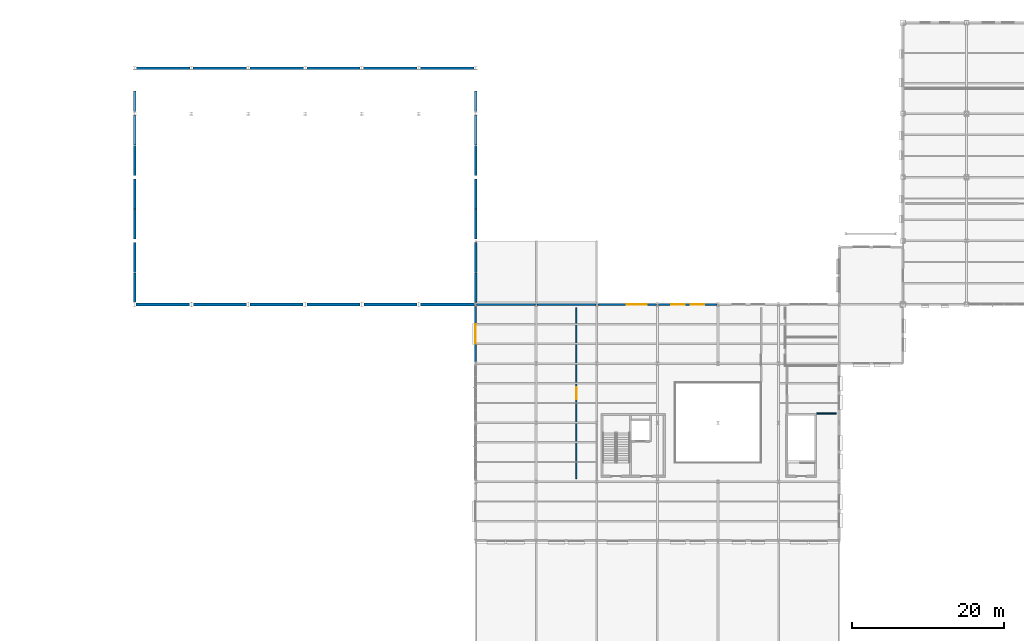
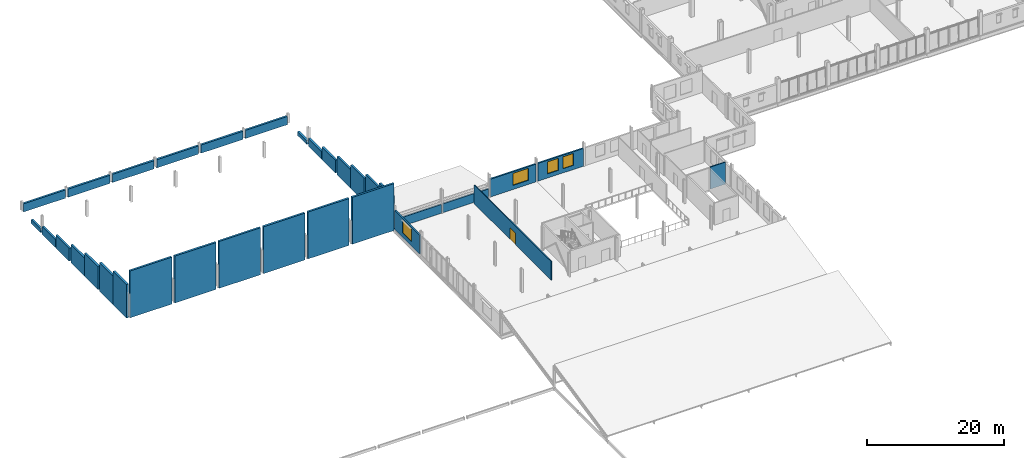
# One storey, part 36 of 45: 33 walls, 4 windows, 1 door, 5 openings.
"""IFC4 building model written with IfcOpenShell, lengths in metres."""

from ifc_helpers import new_model, si_unit, direction, frame, frame_2d, origin, place, context, subcontext, project, spatial, rectangle, extrude, material, layer, layer_set, type_object, element, fill, save


model = new_model("IFC4")

# Units and contexts
model_context = context("Model", 3, precision=1e-05, world=origin(), true_north=direction((0.0, 1.0)))
body_context = subcontext(model_context, "Body", "Model", "MODEL_VIEW")
ifc_project = project(units=[si_unit("LENGTHUNIT", "METRE"), si_unit("AREAUNIT", "SQUARE_METRE"), si_unit("VOLUMEUNIT", "CUBIC_METRE"), si_unit("PLANEANGLEUNIT", "RADIAN"), si_unit("MASSUNIT", "GRAM", prefix="KILO")], contexts=[model_context])

# Site, building, storey
site_placement = place(None, origin())
site = spatial("IfcSite", under=ifc_project, at=site_placement, CompositionType="ELEMENT")
building_placement = place(site_placement, origin())
building = spatial("IfcBuilding", under=site, at=building_placement, Name="Yukiwa Park Conservatory and Herbarium", CompositionType="ELEMENT")
storey_placement = place(building_placement, frame((0.0, 0.0, 9.0)))
storey = spatial("IfcBuildingStorey", under=building, at=storey_placement, Name="L02", CompositionType="ELEMENT", Elevation=9.0)

# Walls
ifc_material_1 = material(Name="Pale Granite Cladding", Category="masonry")
ifc_layer_1 = layer(ifc_material_1, 0.340087890625)
ifc_layer_set_1 = layer_set([ifc_layer_1], Name="Pale Granite Cladding")
wall_type_1 = type_object("IfcWallType", Name="WL-EXT-AUD-340", PredefinedType="SOLIDWALL", material=ifc_layer_set_1)
wall_1_placement = place(storey_placement, frame((15.199951171875, 78.0, -0.2451171875), z_axis=(0.0, 0.0, 1.0), x_axis=(1.0, 0.0, 0.0)))
element("IfcWall", 1, at=wall_1_placement, inside=storey, type_object=wall_type_1, Name="L02 Auditorium south clerestory wall 1", PredefinedType="SOLIDWALL", context=body_context, shape_type="SweptSolid", body=[
    extrude(rectangle(XDim=7.0400390625, YDim=0.340087890625, at=frame_2d((3.52001953125, 0.0))), origin(), (0.0, 0.0, 1.0), 8.382080078125),
])
wall_2_placement = place(storey_placement, frame((22.280029296875, 109.199951171875, -0.2451171875), z_axis=(0.0, 0.0, 1.0), x_axis=(-1.0, 0.0, 0.0)))
element("IfcWall", 2, at=wall_2_placement, inside=storey, type_object=wall_type_1, Name="L02 Auditorium north clerestory wall 2", PredefinedType="SOLIDWALL", context=body_context, shape_type="SweptSolid", body=[
    extrude(rectangle(XDim=7.06005859375, YDim=0.340087890625, at=frame_2d((3.530029296875, 0.0))), origin(), (0.0, 0.0, 1.0), 1.465087890625),
])
wall_3_placement = place(storey_placement, frame((22.760009765625, 78.0, -0.2451171875), z_axis=(0.0, 0.0, 1.0), x_axis=(1.0, 0.0, 0.0)))
element("IfcWall", 3, at=wall_3_placement, inside=storey, type_object=wall_type_1, Name="L02 Auditorium south clerestory wall 3", PredefinedType="SOLIDWALL", context=body_context, shape_type="SweptSolid", body=[
    extrude(rectangle(XDim=6.97998046875, YDim=0.340087890625, at=frame_2d((3.489990234375, 0.0))), origin(), (0.0, 0.0, 1.0), 8.382080078125),
])
wall_4_placement = place(storey_placement, frame((29.780029296875, 109.199951171875, -0.2451171875), z_axis=(0.0, 0.0, 1.0), x_axis=(-1.0, 0.0, 0.0)))
element("IfcWall", 4, at=wall_4_placement, inside=storey, type_object=wall_type_1, Name="L02 Auditorium north clerestory wall 4", PredefinedType="SOLIDWALL", context=body_context, shape_type="SweptSolid", body=[
    extrude(rectangle(XDim=7.06005859375, YDim=0.340087890625, at=frame_2d((3.530029296875, 0.0))), origin(), (0.0, 0.0, 1.0), 1.465087890625),
])
wall_5_placement = place(storey_placement, frame((30.260009765625, 78.0, -0.2451171875), z_axis=(0.0, 0.0, 1.0), x_axis=(1.0, 0.0, 0.0)))
element("IfcWall", 5, at=wall_5_placement, inside=storey, type_object=wall_type_1, Name="L02 Auditorium south clerestory wall 5", PredefinedType="SOLIDWALL", context=body_context, shape_type="SweptSolid", body=[
    extrude(rectangle(XDim=6.97998046875, YDim=0.340087890625, at=frame_2d((3.489990234375, 0.0))), origin(), (0.0, 0.0, 1.0), 8.382080078125),
])
wall_6_placement = place(storey_placement, frame((37.280029296875, 109.199951171875, -0.2451171875), z_axis=(0.0, 0.0, 1.0), x_axis=(-1.0, 0.0, 0.0)))
element("IfcWall", 6, at=wall_6_placement, inside=storey, type_object=wall_type_1, Name="L02 Auditorium north clerestory wall 6", PredefinedType="SOLIDWALL", context=body_context, shape_type="SweptSolid", body=[
    extrude(rectangle(XDim=7.06005859375, YDim=0.340087890625, at=frame_2d((3.530029296875, 0.0))), origin(), (0.0, 0.0, 1.0), 1.465087890625),
])
wall_7_placement = place(storey_placement, frame((37.760009765625, 78.0, -0.2451171875), z_axis=(0.0, 0.0, 1.0), x_axis=(1.0, 0.0, 0.0)))
element("IfcWall", 7, at=wall_7_placement, inside=storey, type_object=wall_type_1, Name="L02 Auditorium south clerestory wall 7", PredefinedType="SOLIDWALL", context=body_context, shape_type="SweptSolid", body=[
    extrude(rectangle(XDim=6.97998046875, YDim=0.340087890625, at=frame_2d((3.489990234375, 0.0))), origin(), (0.0, 0.0, 1.0), 8.382080078125),
])
wall_8_placement = place(storey_placement, frame((44.780029296875, 109.199951171875, -0.2451171875), z_axis=(0.0, 0.0, 1.0), x_axis=(-1.0, 0.0, 0.0)))
element("IfcWall", 8, at=wall_8_placement, inside=storey, type_object=wall_type_1, Name="L02 Auditorium north clerestory wall 8", PredefinedType="SOLIDWALL", context=body_context, shape_type="SweptSolid", body=[
    extrude(rectangle(XDim=7.06005859375, YDim=0.340087890625, at=frame_2d((3.530029296875, 0.0))), origin(), (0.0, 0.0, 1.0), 1.465087890625),
])
wall_9_placement = place(storey_placement, frame((45.260009765625, 78.0, -0.2451171875), z_axis=(0.0, 0.0, 1.0), x_axis=(1.0, 0.0, 0.0)))
element("IfcWall", 9, at=wall_9_placement, inside=storey, type_object=wall_type_1, Name="L02 Auditorium south clerestory wall 9", PredefinedType="SOLIDWALL", context=body_context, shape_type="SweptSolid", body=[
    extrude(rectangle(XDim=6.97998046875, YDim=0.340087890625, at=frame_2d((3.489990234375, 0.0))), origin(), (0.0, 0.0, 1.0), 8.382080078125),
])
wall_10_placement = place(storey_placement, frame((52.280029296875, 109.199951171875, -0.2451171875), z_axis=(0.0, 0.0, 1.0), x_axis=(-1.0, 0.0, 0.0)))
element("IfcWall", 10, at=wall_10_placement, inside=storey, type_object=wall_type_1, Name="L02 Auditorium north clerestory wall 10", PredefinedType="SOLIDWALL", context=body_context, shape_type="SweptSolid", body=[
    extrude(rectangle(XDim=7.06005859375, YDim=0.340087890625, at=frame_2d((3.530029296875, 0.0))), origin(), (0.0, 0.0, 1.0), 1.465087890625),
])
wall_11_placement = place(storey_placement, frame((52.760009765625, 78.0, -0.2451171875), z_axis=(0.0, 0.0, 1.0), x_axis=(1.0, 0.0, 0.0)))
element("IfcWall", 11, at=wall_11_placement, inside=storey, type_object=wall_type_1, Name="L02 Auditorium south clerestory wall 11", PredefinedType="SOLIDWALL", context=body_context, shape_type="SweptSolid", body=[
    extrude(rectangle(XDim=7.080078125, YDim=0.340087890625, at=frame_2d((3.5400390625, 0.0))), origin(), (0.0, 0.0, 1.0), 8.382080078125),
])
wall_12_placement = place(storey_placement, frame((59.780029296875, 109.199951171875, -0.2451171875), z_axis=(0.0, 0.0, 1.0), x_axis=(-1.0, 0.0, 0.0)))
element("IfcWall", 12, at=wall_12_placement, inside=storey, type_object=wall_type_1, Name="L02 Auditorium north clerestory wall 12", PredefinedType="SOLIDWALL", context=body_context, shape_type="SweptSolid", body=[
    extrude(rectangle(XDim=7.06005859375, YDim=0.340087890625, at=frame_2d((3.530029296875, 0.0))), origin(), (0.0, 0.0, 1.0), 1.465087890625),
])
wall_13_placement = place(storey_placement, frame((15.0, 78.239990234375, -0.419921875), z_axis=(0.0, 0.0, 1.0), x_axis=(0.0, 1.0, 0.0)))
element("IfcWall", 13, at=wall_13_placement, inside=storey, type_object=wall_type_1, Name="L02 Auditorium W gable clerestory wall 13", PredefinedType="SOLIDWALL", context=body_context, shape_type="SweptSolid", body=[
    extrude(rectangle(XDim=3.93994140625, YDim=0.340087890625, at=frame_2d((1.969970703125, 0.0))), origin(), (0.0, 0.0, 1.0), 6.010009765625),
])
wall_14_placement = place(storey_placement, frame((15.0, 82.219970703125, -0.419921875), z_axis=(0.0, 0.0, 1.0), x_axis=(0.0, 1.0, 0.0)))
element("IfcWall", 14, at=wall_14_placement, inside=storey, type_object=wall_type_1, Name="L02 Auditorium W gable clerestory wall 14", PredefinedType="SOLIDWALL", context=body_context, shape_type="SweptSolid", body=[
    extrude(rectangle(XDim=3.93994140625, YDim=0.340087890625, at=frame_2d((1.969970703125, 0.0))), origin(), (0.0, 0.0, 1.0), 5.127685546875),
])
wall_15_placement = place(storey_placement, frame((15.0, 86.639892578125, -0.419921875), z_axis=(0.0, 0.0, 1.0), x_axis=(0.0, 1.0, 0.0)))
element("IfcWall", 15, at=wall_15_placement, inside=storey, type_object=wall_type_1, Name="L02 Auditorium W gable clerestory wall 15", PredefinedType="SOLIDWALL", context=body_context, shape_type="SweptSolid", body=[
    extrude(rectangle(XDim=3.940185546875, YDim=0.340087890625, at=frame_2d((1.97021484375, 0.0))), origin(), (0.0, 0.0, 1.0), 4.14794921875),
])
wall_16_placement = place(storey_placement, frame((15.0, 90.6201171875, -0.419921875), z_axis=(0.0, 0.0, 1.0), x_axis=(0.0, 1.0, 0.0)))
element("IfcWall", 16, at=wall_16_placement, inside=storey, type_object=wall_type_1, Name="L02 Auditorium W gable clerestory wall 16", PredefinedType="SOLIDWALL", context=body_context, shape_type="SweptSolid", body=[
    extrude(rectangle(XDim=3.93994140625, YDim=0.340087890625, at=frame_2d((1.969970703125, 0.0))), origin(), (0.0, 0.0, 1.0), 3.265625),
])
wall_17_placement = place(storey_placement, frame((15.0, 95.0400390625, -0.419921875), z_axis=(0.0, 0.0, 1.0), x_axis=(0.0, 1.0, 0.0)))
element("IfcWall", 17, at=wall_17_placement, inside=storey, type_object=wall_type_1, Name="L02 Auditorium W gable clerestory wall 17", PredefinedType="SOLIDWALL", context=body_context, shape_type="SweptSolid", body=[
    extrude(rectangle(XDim=3.93994140625, YDim=0.340087890625, at=frame_2d((1.969970703125, 0.0))), origin(), (0.0, 0.0, 1.0), 2.28564453125),
])
wall_18_placement = place(storey_placement, frame((15.0, 99.02001953125, -0.419921875), z_axis=(0.0, 0.0, 1.0), x_axis=(0.0, 1.0, 0.0)))
element("IfcWall", 18, at=wall_18_placement, inside=storey, type_object=wall_type_1, Name="L02 Auditorium W gable clerestory wall 18", PredefinedType="SOLIDWALL", context=body_context, shape_type="SweptSolid", body=[
    extrude(rectangle(XDim=3.93994140625, YDim=0.340087890625, at=frame_2d((1.969970703125, 0.0))), origin(), (0.0, 0.0, 1.0), 1.4033203125),
])
wall_19_placement = place(storey_placement, frame((15.0, 103.43994140625, -0.419921875), z_axis=(0.0, 0.0, 1.0), x_axis=(0.0, 1.0, 0.0)))
element("IfcWall", 19, at=wall_19_placement, inside=storey, type_object=wall_type_1, Name="L02 Auditorium W gable clerestory wall 19", PredefinedType="SOLIDWALL", context=body_context, shape_type="SweptSolid", body=[
    extrude(rectangle(XDim=2.739990234375, YDim=0.340087890625, at=frame_2d((1.3701171875, 0.0))), origin(), (0.0, 0.0, 1.0), 0.689453125),
])
wall_20_placement = place(storey_placement, frame((60.0, 78.239990234375, -0.419921875), z_axis=(0.0, 0.0, 1.0), x_axis=(0.0, 1.0, 0.0)))
element("IfcWall", 20, at=wall_20_placement, inside=storey, type_object=wall_type_1, Name="L02 Auditorium E gable clerestory wall 21", PredefinedType="SOLIDWALL", context=body_context, shape_type="SweptSolid", body=[
    extrude(rectangle(XDim=3.93994140625, YDim=0.340087890625, at=frame_2d((1.969970703125, 0.0))), origin(), (0.0, 0.0, 1.0), 6.010009765625),
])
wall_21_placement = place(storey_placement, frame((60.0, 82.219970703125, -0.419921875), z_axis=(0.0, 0.0, 1.0), x_axis=(0.0, 1.0, 0.0)))
element("IfcWall", 21, at=wall_21_placement, inside=storey, type_object=wall_type_1, Name="L02 Auditorium E gable clerestory wall 22", PredefinedType="SOLIDWALL", context=body_context, shape_type="SweptSolid", body=[
    extrude(rectangle(XDim=3.93994140625, YDim=0.340087890625, at=frame_2d((1.969970703125, 0.0))), origin(), (0.0, 0.0, 1.0), 5.127685546875),
])
wall_22_placement = place(storey_placement, frame((60.0, 86.639892578125, -0.419921875), z_axis=(0.0, 0.0, 1.0), x_axis=(0.0, 1.0, 0.0)))
element("IfcWall", 22, at=wall_22_placement, inside=storey, type_object=wall_type_1, Name="L02 Auditorium E gable clerestory wall 23", PredefinedType="SOLIDWALL", context=body_context, shape_type="SweptSolid", body=[
    extrude(rectangle(XDim=3.940185546875, YDim=0.340087890625, at=frame_2d((1.97021484375, 0.0))), origin(), (0.0, 0.0, 1.0), 4.14794921875),
])
wall_23_placement = place(storey_placement, frame((60.0, 90.6201171875, -0.419921875), z_axis=(0.0, 0.0, 1.0), x_axis=(0.0, 1.0, 0.0)))
element("IfcWall", 23, at=wall_23_placement, inside=storey, type_object=wall_type_1, Name="L02 Auditorium E gable clerestory wall 24", PredefinedType="SOLIDWALL", context=body_context, shape_type="SweptSolid", body=[
    extrude(rectangle(XDim=3.93994140625, YDim=0.340087890625, at=frame_2d((1.969970703125, 0.0))), origin(), (0.0, 0.0, 1.0), 3.265625),
])
wall_24_placement = place(storey_placement, frame((60.0, 95.0400390625, -0.419921875), z_axis=(0.0, 0.0, 1.0), x_axis=(0.0, 1.0, 0.0)))
element("IfcWall", 24, at=wall_24_placement, inside=storey, type_object=wall_type_1, Name="L02 Auditorium E gable clerestory wall 25", PredefinedType="SOLIDWALL", context=body_context, shape_type="SweptSolid", body=[
    extrude(rectangle(XDim=3.93994140625, YDim=0.340087890625, at=frame_2d((1.969970703125, 0.0))), origin(), (0.0, 0.0, 1.0), 2.28564453125),
])
wall_25_placement = place(storey_placement, frame((60.0, 99.02001953125, -0.419921875), z_axis=(0.0, 0.0, 1.0), x_axis=(0.0, 1.0, 0.0)))
element("IfcWall", 25, at=wall_25_placement, inside=storey, type_object=wall_type_1, Name="L02 Auditorium E gable clerestory wall 26", PredefinedType="SOLIDWALL", context=body_context, shape_type="SweptSolid", body=[
    extrude(rectangle(XDim=3.93994140625, YDim=0.340087890625, at=frame_2d((1.969970703125, 0.0))), origin(), (0.0, 0.0, 1.0), 1.4033203125),
])
wall_26_placement = place(storey_placement, frame((60.0, 103.43994140625, -0.419921875), z_axis=(0.0, 0.0, 1.0), x_axis=(0.0, 1.0, 0.0)))
element("IfcWall", 26, at=wall_26_placement, inside=storey, type_object=wall_type_1, Name="L02 Auditorium E gable clerestory wall 27", PredefinedType="SOLIDWALL", context=body_context, shape_type="SweptSolid", body=[
    extrude(rectangle(XDim=2.739990234375, YDim=0.340087890625, at=frame_2d((1.3701171875, 0.0))), origin(), (0.0, 0.0, 1.0), 0.689453125),
])

# Wall, openings, windows
ifc_material_2 = material(Name="Charred Larch Cladding", Category="wood")
ifc_layer_2 = layer(ifc_material_2, 0.260009765625)
ifc_layer_set_2 = layer_set([ifc_layer_2], Name="Charred Larch Cladding")
wall_type_2 = type_object("IfcWallType", Name="WL-EXT-LARCH-260", PredefinedType="SOLIDWALL", material=ifc_layer_set_2)
wall_27_placement = place(storey_placement, frame((91.85009765625, 78.0, 0.0), z_axis=(0.0, 0.0, 1.0), x_axis=(-1.0, 0.0, 0.0)))
wall_27 = element("IfcWall", 27, at=wall_27_placement, inside=storey, type_object=wall_type_2, Name="L02 exterior envelope wall 231", PredefinedType="SOLIDWALL", context=body_context, shape_type="SweptSolid", body=[
    extrude(rectangle(XDim=7.7001953125, YDim=0.260009765625, at=frame_2d((3.85009765625, 0.0))), origin(), (0.0, 0.0, 1.0), 3.18798828125),
])
opening_1_placement = place(wall_27_placement, frame((1.6669921875, 0.0, 0.75)))
opening_1 = element("IfcOpeningElement", 28, at=opening_1_placement, cuts=wall_27, Name="Opening W-12", PredefinedType="OPENING", context=body_context, shape_type="SweptSolid", body=[
    extrude(rectangle(XDim=1.800048828125, YDim=2.139892578125, at=frame_2d((0.89990234375, 1.06982421875))), frame((0.0, 0.14013671875, 0.0), z_axis=(0.0, -1.0, 0.0), x_axis=(1.0, 0.0, 0.0)), (0.0, 0.0, 1.0), 0.280029296875),
])
opening_2_placement = place(wall_27_placement, frame((4.23291015625, 0.0, 0.75)))
opening_2 = element("IfcOpeningElement", 29, at=opening_2_placement, cuts=wall_27, Name="Opening W-12", PredefinedType="OPENING", context=body_context, shape_type="SweptSolid", body=[
    extrude(rectangle(XDim=1.800048828125, YDim=2.139892578125, at=frame_2d((0.89990234375, 1.06982421875))), frame((0.0, 0.14013671875, 0.0), z_axis=(0.0, -1.0, 0.0), x_axis=(1.0, 0.0, 0.0)), (0.0, 0.0, 1.0), 0.280029296875),
])
ifc_material_3 = material(Name="Triple Low-E Insulated Glass", Category="glass")
window_type_1 = type_object("IfcWindowType", Name="WN-VS-1800X2400", PartitioningType="SINGLE_PANEL", PredefinedType="WINDOW", material=ifc_material_3)
window_1_placement = place(opening_1_placement, origin())
window_1 = element("IfcWindow", 30, at=window_1_placement, inside=storey, type_object=window_type_1, Name="L02 deep-reveal triple-glazed window 162", OverallHeight=2.139892578125, OverallWidth=1.800048828125, PartitioningType="SINGLE_PANEL", PredefinedType="WINDOW", context=body_context, shape_type="SweptSolid", body=[
    extrude(rectangle(XDim=1.800048828125, YDim=2.139892578125, at=frame_2d((0.89990234375, 1.06982421875))), frame((0.0, 0.030029296875, 0.0), z_axis=(0.0, -1.0, 0.0), x_axis=(1.0, 0.0, 0.0)), (0.0, 0.0, 1.0), 0.06005859375),
])
fill(opening_1, window_1)
window_2_placement = place(opening_2_placement, origin())
window_2 = element("IfcWindow", 31, at=window_2_placement, inside=storey, type_object=window_type_1, Name="L02 deep-reveal triple-glazed window 163", OverallHeight=2.139892578125, OverallWidth=1.800048828125, PartitioningType="SINGLE_PANEL", PredefinedType="WINDOW", context=body_context, shape_type="SweptSolid", body=[
    extrude(rectangle(XDim=1.800048828125, YDim=2.139892578125, at=frame_2d((0.89990234375, 1.06982421875))), frame((0.0, 0.030029296875, 0.0), z_axis=(0.0, -1.0, 0.0), x_axis=(1.0, 0.0, 0.0)), (0.0, 0.0, 1.0), 0.06005859375),
])
fill(opening_2, window_2)

# Wall, opening, window
wall_28_placement = place(storey_placement, frame((83.85009765625, 78.0, 0.0), z_axis=(0.0, 0.0, 1.0), x_axis=(-1.0, 0.0, 0.0)))
wall_28 = element("IfcWall", 32, at=wall_28_placement, inside=storey, type_object=wall_type_2, Name="L02 exterior envelope wall 232", PredefinedType="SOLIDWALL", context=body_context, shape_type="SweptSolid", body=[
    extrude(rectangle(XDim=7.7001953125, YDim=0.260009765625, at=frame_2d((3.85009765625, 0.0))), origin(), (0.0, 0.0, 1.0), 3.18798828125),
])
opening_3_placement = place(wall_28_placement, frame((1.26708984375, 0.0, 0.75)))
opening_3 = element("IfcOpeningElement", 33, at=opening_3_placement, cuts=wall_28, Name="Opening W-14", PredefinedType="OPENING", context=body_context, shape_type="SweptSolid", body=[
    extrude(rectangle(XDim=2.60009765625, YDim=2.139892578125, at=frame_2d((1.300048828125, 1.06982421875))), frame((0.0, 0.14013671875, 0.0), z_axis=(0.0, -1.0, 0.0), x_axis=(1.0, 0.0, 0.0)), (0.0, 0.0, 1.0), 0.280029296875),
])
ifc_material_4 = material(Name="Triple Low-E Insulated Glass", Category="glass")
window_type_2 = type_object("IfcWindowType", Name="WN-VS-2600X2400", PartitioningType="SINGLE_PANEL", PredefinedType="WINDOW", material=ifc_material_4)
window_3_placement = place(opening_3_placement, origin())
window_3 = element("IfcWindow", 34, at=window_3_placement, inside=storey, type_object=window_type_2, Name="L02 deep-reveal triple-glazed window 164", OverallHeight=2.139892578125, OverallWidth=2.60009765625, PartitioningType="SINGLE_PANEL", PredefinedType="WINDOW", context=body_context, shape_type="SweptSolid", body=[
    extrude(rectangle(XDim=2.60009765625, YDim=2.139892578125, at=frame_2d((1.300048828125, 1.06982421875))), frame((0.0, 0.030029296875, 0.0), z_axis=(0.0, -1.0, 0.0), x_axis=(1.0, 0.0, 0.0)), (0.0, 0.0, 1.0), 0.06005859375),
])
fill(opening_3, window_3)

# Walls
for number, where, z_axis, x_axis, name in (
    (35, (75.85009765625, 78.0, 0.0), (0.0, 0.0, 1.0), (-1.0, 0.0, 0.0), "L02 exterior envelope wall 233"),
    (36, (67.85009765625, 78.0, 0.0), (0.0, 0.0, 1.0), (-1.0, 0.0, 0.0), "L02 exterior envelope wall 234"),
):
    element("IfcWall", number, at=place(storey_placement, frame(where, z_axis=z_axis, x_axis=x_axis)), inside=storey, type_object=wall_type_2, Name=name, PredefinedType="SOLIDWALL", context=body_context, shape_type="SweptSolid", body=[
        extrude(rectangle(XDim=7.7001953125, YDim=0.260009765625, at=frame_2d((3.85009765625, 0.0))), origin(), (0.0, 0.0, 1.0), 1.575439453125),
    ])

# Wall, opening, window
wall_29_placement = place(storey_placement, frame((60.0, 77.759033203125, 0.0), z_axis=(0.0, 0.0, 1.0), x_axis=(0.0, -1.0, 0.0)))
wall_29 = element("IfcWall", 37, at=wall_29_placement, inside=storey, type_object=wall_type_2, Name="L02 exterior envelope wall 235", PredefinedType="SOLIDWALL", context=body_context, shape_type="SweptSolid", body=[
    extrude(rectangle(XDim=7.318115234375, YDim=0.260009765625, at=frame_2d((3.6591796875, 0.0))), origin(), (0.0, 0.0, 1.0), 3.385986328125),
])
opening_4_placement = place(wall_29_placement, frame((2.35888671875, 0.0, 0.75)))
opening_4 = element("IfcOpeningElement", 38, at=opening_4_placement, cuts=wall_29, Name="Opening W-14", PredefinedType="OPENING", context=body_context, shape_type="SweptSolid", body=[
    extrude(rectangle(XDim=2.60009765625, YDim=2.340087890625, at=frame_2d((1.300048828125, 1.169921875))), frame((0.0, 0.14013671875, 0.0), z_axis=(0.0, -1.0, 0.0), x_axis=(1.0, 0.0, 0.0)), (0.0, 0.0, 1.0), 0.280029296875),
])
window_4_placement = place(opening_4_placement, origin())
window_4 = element("IfcWindow", 39, at=window_4_placement, inside=storey, type_object=window_type_2, Name="L02 deep-reveal triple-glazed window 165", OverallHeight=2.340087890625, OverallWidth=2.60009765625, PartitioningType="SINGLE_PANEL", PredefinedType="WINDOW", context=body_context, shape_type="SweptSolid", body=[
    extrude(rectangle(XDim=2.60009765625, YDim=2.340087890625, at=frame_2d((1.300048828125, 1.169921875))), frame((0.0, 0.030029296875, 0.0), z_axis=(0.0, -1.0, 0.0), x_axis=(1.0, 0.0, 0.0)), (0.0, 0.0, 1.0), 0.06005859375),
])
fill(opening_4, window_4)

# Wall, opening, door
ifc_material_5 = material(Name="Gypsum Board Partition", Category="gypsum")
ifc_layer_3 = layer(ifc_material_5, 0.159912109375)
ifc_layer_set_3 = layer_set([ifc_layer_3], Name="Gypsum Board Partition")
wall_type_3 = type_object("IfcWallType", Name="WL-PART-GYP-160", PredefinedType="PARTITIONING", material=ifc_layer_set_3)
wall_30_placement = place(storey_placement, frame((73.300048828125, 55.0, 0.0), z_axis=(0.0, 0.0, 1.0), x_axis=(0.0, 1.0, 0.0)))
wall_30 = element("IfcWall", 40, at=wall_30_placement, inside=storey, type_object=wall_type_3, Name="L02 interior partition wall 281", PredefinedType="PARTITIONING", context=body_context, shape_type="SweptSolid", body=[
    extrude(rectangle(XDim=22.60009765625, YDim=0.159912109375, at=frame_2d((11.300048828125, 0.0))), origin(), (0.0, 0.0, 1.0), 3.330078125),
])
opening_5_placement = place(wall_30_placement, frame((10.5, 0.0, 0.0)))
opening_5 = element("IfcOpeningElement", 41, at=opening_5_placement, cuts=wall_30, Name="Opening GD-16", PredefinedType="OPENING", context=body_context, shape_type="SweptSolid", body=[
    extrude(rectangle(XDim=1.60009765625, YDim=2.10009765625, at=frame_2d((0.800048828125, 1.050048828125))), frame((0.0, 0.08984375, 0.0), z_axis=(0.0, -1.0, 0.0), x_axis=(1.0, 0.0, 0.0)), (0.0, 0.0, 1.0), 0.179931640625),
])
ifc_material_6 = material(Name="Laminated Tempered Safety Glass", Category="glass")
door_type = type_object("IfcDoorType", Name="DR-GLZ-1600", OperationType="DOUBLE_DOOR_SINGLE_SWING", PredefinedType="DOOR", material=ifc_material_6)
door_placement = place(opening_5_placement, origin())
door = element("IfcDoor", 42, at=door_placement, inside=storey, type_object=door_type, Name="L02 Alpine Exhibition Gallery door", OperationType="DOUBLE_DOOR_SINGLE_SWING", OverallHeight=2.10009765625, OverallWidth=1.60009765625, PredefinedType="DOOR", context=body_context, shape_type="SweptSolid", body=[
    extrude(rectangle(XDim=1.60009765625, YDim=2.10009765625, at=frame_2d((0.800048828125, 1.050048828125))), frame((0.0, 0.02490234375, 0.0), z_axis=(0.0, -1.0, 0.0), x_axis=(1.0, 0.0, 0.0)), (0.0, 0.0, 1.0), 0.050048828125),
])
fill(opening_5, door)

# Wall
wall_31_placement = place(storey_placement, frame((105.050048828125, 63.60009765625, 0.0), z_axis=(0.0, 0.0, 1.0), x_axis=(1.0, 0.0, 0.0)))
element("IfcWall", 43, at=wall_31_placement, inside=storey, type_object=wall_type_3, Name="L02 interior partition wall 284", PredefinedType="PARTITIONING", context=body_context, shape_type="SweptSolid", body=[
    extrude(rectangle(XDim=2.550048828125, YDim=0.159912109375, at=frame_2d((1.27490234375, 0.0))), origin(), (0.0, 0.0, 1.0), 3.93505859375),
])

save(model, "model.ifc")
